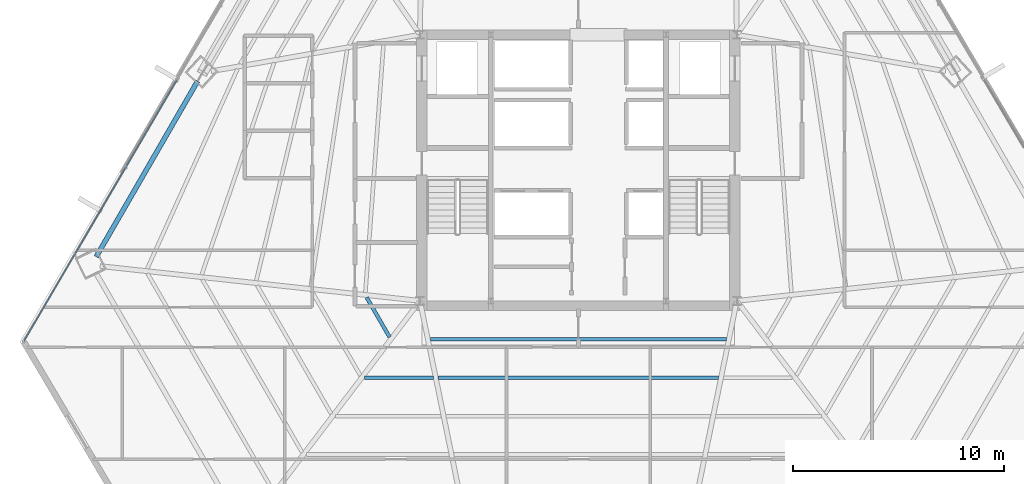
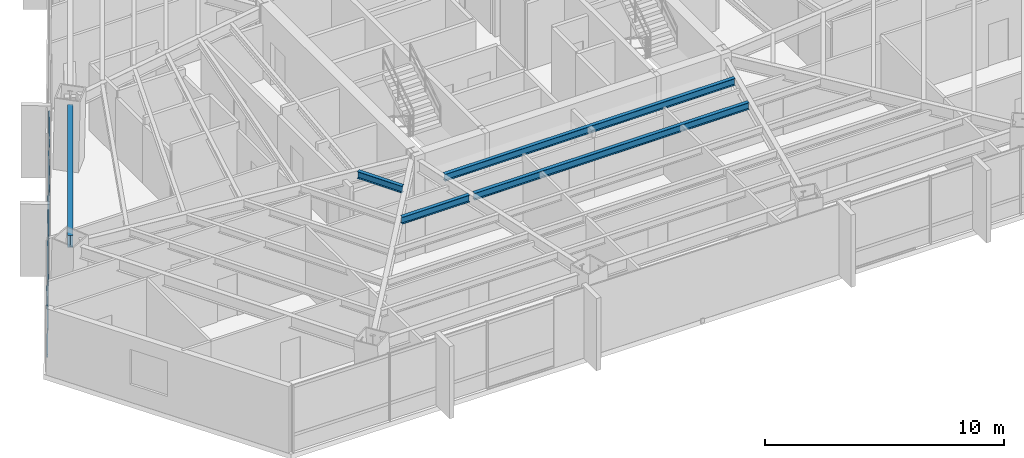
# One storey, part 10 of 35: 5 beams, 2 members, 1 element without a shape of its own.
"""IFC4 building model written with IfcOpenShell, lengths in metres."""

import ifcopenshell
import ifcopenshell.guid

model = None  # the IFC model being written
_history = None  # IfcOwnerHistory: only IFC2X3 demands one
_inside = {}  # id of a spatial element -> (the spatial element, [elements in it])
_under = {}  # id of a project, library or spatial element -> (it, [spatial elements below it])
_declared = {}  # id of a project -> (the project, [libraries it declares])
_typed = {}  # id of a type object -> (the type object, [elements of that type])
_made_of = {}  # id of a material, layer set ... -> (it, [elements and type objects made of it])


def new_model(schema):
    """Start an empty IFC model of exactly this schema.

    Asked for "IFC4X3", IfcOpenShell would pick the latest addendum, in which some entities
    have other attributes; the version numbers below select the first issue.
    IFC2X3 requires an IfcOwnerHistory on every rooted entity: one is made here for all.
    """
    global model, _history
    if schema == "IFC4X3":
        model = ifcopenshell.file(schema_version=(4, 3, 0, 0))
    else:
        model = ifcopenshell.file(schema=schema)
    _inside.clear()
    _under.clear()
    _declared.clear()
    _typed.clear()
    _made_of.clear()
    _history = None
    if model.schema == "IFC2X3":
        org = make("IfcOrganization", Name="unknown")
        user = make(
            "IfcPersonAndOrganization",
            ThePerson=make("IfcPerson", FamilyName="unknown"),
            TheOrganization=org,
        )
        app = make(
            "IfcApplication",
            ApplicationDeveloper=org,
            Version="unknown",
            ApplicationFullName="unknown",
            ApplicationIdentifier="unknown",
        )
        _history = make(
            "IfcOwnerHistory",
            OwningUser=user,
            OwningApplication=app,
            ChangeAction="ADDED",
            CreationDate=0,
        )
    return model


def make(cls, **values):
    """One entity of the class cls with the attributes given. An attribute that is None is left unset."""
    return model.create_entity(
        cls, **{name: value for name, value in values.items() if value is not None}
    )


def rooted(cls, **values):
    """An entity with a GlobalId (a new one), such as an element, a storey or a relation."""
    return make(cls, GlobalId=ifcopenshell.guid.new(), OwnerHistory=_history, **values)


def si_unit(unit_type, name, prefix=None):
    """IfcSIUnit, for example si_unit("LENGTHUNIT", "METRE", prefix="MILLI")."""
    return make("IfcSIUnit", UnitType=unit_type, Prefix=prefix, Name=name)


def assignment(units):
    """IfcUnitAssignment: the units of a project."""
    return None if units is None else make("IfcUnitAssignment", Units=units)


def point(xyz):
    """IfcCartesianPoint."""
    return None if xyz is None else make("IfcCartesianPoint", Coordinates=xyz)


def direction(xyz):
    """IfcDirection."""
    return None if xyz is None else make("IfcDirection", DirectionRatios=xyz)


def frame(location, z_axis=None, x_axis=None):
    """IfcAxis2Placement3D, a coordinate frame: its origin and axes. An axis left out is left unset."""
    return make(
        "IfcAxis2Placement3D",
        Location=point(location),
        Axis=direction(z_axis),
        RefDirection=direction(x_axis),
    )


def frame_2d(location, x_axis=None):
    """IfcAxis2Placement2D, a coordinate frame in the plane: its origin and x axis."""
    return make(
        "IfcAxis2Placement2D", Location=point(location), RefDirection=direction(x_axis)
    )


def origin():
    """The frame at (0, 0, 0) with its axes left unset."""
    return frame((0.0, 0.0, 0.0))


def origin_2d():
    """The frame at (0, 0) in the plane with its x axis left unset."""
    return frame_2d((0.0, 0.0))


def place(relative_to, where):
    """IfcLocalPlacement: puts the frame where relative to a parent placement (None: the world)."""
    return make(
        "IfcLocalPlacement", PlacementRelTo=relative_to, RelativePlacement=where
    )


def context(
    kind, dimensions, precision=None, world=None, true_north=None, identifier=None
):
    """IfcGeometricRepresentationContext, for example the 3D "Model" context."""
    return make(
        "IfcGeometricRepresentationContext",
        ContextIdentifier=identifier,
        ContextType=kind,
        CoordinateSpaceDimension=dimensions,
        Precision=precision,
        WorldCoordinateSystem=world,
        TrueNorth=true_north,
    )


def subcontext(parent, identifier, kind, view, scale=None):
    """IfcGeometricRepresentationSubContext, for example "Body" below "Model"."""
    return make(
        "IfcGeometricRepresentationSubContext",
        ContextIdentifier=identifier,
        ContextType=kind,
        ParentContext=parent,
        TargetScale=scale,
        TargetView=view,
    )


def project(units=None, contexts=None):
    """IfcProject with its units and contexts."""
    return rooted(
        "IfcProject",
        Name="project",
        RepresentationContexts=contexts,
        UnitsInContext=assignment(units),
    )


def spatial(cls, under=None, at=None, **own):
    """A site, building, storey or space (cls), placed at a placement, below another one or the project."""
    s = rooted(cls, ObjectPlacement=at, **own)
    if under is not None:
        _under.setdefault(under.id(), (under, []))[1].append(s)
    return s


def profile(cls, at=None, kind="AREA", **sizes):
    """A parametric profile (cls). Its sizes go by their IFC names, for example OverallWidth=200.0."""
    return make(cls, ProfileType=kind, Position=at, **sizes)


def hollow_rectangle(**sizes):
    """IfcRectangleHollowProfileDef."""
    return profile("IfcRectangleHollowProfileDef", **sizes)


def i_section(**sizes):
    """IfcIShapeProfileDef."""
    return profile("IfcIShapeProfileDef", **sizes)


def extrude(swept, where, along, depth):
    """IfcExtrudedAreaSolid: the profile swept, set in the frame where, extruded along a direction by depth."""
    return make(
        "IfcExtrudedAreaSolid",
        SweptArea=swept,
        Position=where,
        ExtrudedDirection=direction(along),
        Depth=depth,
    )


def shape(context_of_items, identifier, shape_type, items):
    """IfcShapeRepresentation: the items that make up one representation, for example the "Body"."""
    return make(
        "IfcShapeRepresentation",
        ContextOfItems=context_of_items,
        RepresentationIdentifier=identifier,
        RepresentationType=shape_type,
        Items=items,
    )


def source(mapping_origin, context_of_items, identifier, shape_type, items):
    """IfcRepresentationMap: a shape defined once, which mapped items show again and again."""
    return make(
        "IfcRepresentationMap",
        MappingOrigin=mapping_origin,
        MappedRepresentation=shape(context_of_items, identifier, shape_type, items),
    )


def transform(
    local_origin,
    x_axis=None,
    y_axis=None,
    z_axis=None,
    scale=None,
    scale2=None,
    scale3=None,
    uniform=True,
):
    """IfcCartesianTransformationOperator3D, or its non-uniform kind. x_axis, y_axis, z_axis: its Axis1, 2, 3."""
    if uniform:
        return make(
            "IfcCartesianTransformationOperator3D",
            Axis1=direction(x_axis),
            Axis2=direction(y_axis),
            LocalOrigin=point(local_origin),
            Scale=scale,
            Axis3=direction(z_axis),
        )
    return make(
        "IfcCartesianTransformationOperator3DnonUniform",
        Axis1=direction(x_axis),
        Axis2=direction(y_axis),
        LocalOrigin=point(local_origin),
        Scale=scale,
        Axis3=direction(z_axis),
        Scale2=scale2,
        Scale3=scale3,
    )


def mapped(mapping_source, mapping_target):
    """IfcMappedItem: shows the shape of a source again, moved by a transform."""
    return make(
        "IfcMappedItem", MappingSource=mapping_source, MappingTarget=mapping_target
    )


def material(Name=None, Category=None):
    """IfcMaterial."""
    return make("IfcMaterial", Name=Name, Category=Category)


def material_profile(
    of_material, cross_section, Name=None, Category=None, Priority=None
):
    """IfcMaterialProfile: a cross section and its material."""
    return make(
        "IfcMaterialProfile",
        Name=Name,
        Material=of_material,
        Profile=cross_section,
        Priority=Priority,
        Category=Category,
    )


def profile_set(profiles, Name=None, composite=None):
    """IfcMaterialProfileSet."""
    return make(
        "IfcMaterialProfileSet",
        Name=Name,
        MaterialProfiles=profiles,
        CompositeProfile=composite,
    )


def made_of(thing, what):
    """Note that an element or type object is made of a material, layer set ...; save() writes the relation."""
    if what is not None:
        _made_of.setdefault(what.id(), (what, []))[1].append(thing)
    return thing


def type_object(cls, material=None, **own):
    """A type object (cls), such as IfcWallType, which elements share."""
    return made_of(rooted(cls, **own), material)


def type_shapes(of_type, sources):
    """Give a type object the sources (RepresentationMaps) that its elements show as mapped items."""
    of_type.RepresentationMaps = sources


def element(
    cls,
    number,
    at=None,
    inside=None,
    cuts=None,
    type_object=None,
    material=None,
    context=None,
    identifier="Body",
    shape_type=None,
    held_by="IfcProductDefinitionShape",
    body=None,
    shapes=None,
    **own,
):
    """One element of the class cls, such as IfcWall. Its Tag is "e" and its number.

    at: its placement. inside: the storey or other place that contains it. cuts: it is an
    opening in that element (IfcRelVoidsElement). A single representation is given by context,
    identifier, shape_type and body (its items); several are given by shapes. held_by: the class
    of the entity that holds the representations. save() writes the other relations.
    """
    e = rooted(cls, Tag="e%d" % number, ObjectPlacement=at, **own)
    if body is not None:
        shapes = [shape(context, identifier, shape_type, body)]
    if shapes is not None:
        e.Representation = make(held_by, Representations=shapes)
    if inside is not None:
        _inside.setdefault(inside.id(), (inside, []))[1].append(e)
    if cuts is not None:
        rooted(
            "IfcRelVoidsElement", RelatingBuildingElement=cuts, RelatedOpeningElement=e
        )
    if type_object is not None:
        _typed.setdefault(type_object.id(), (type_object, []))[1].append(e)
    return made_of(e, material)


def aggregate(whole, parts):
    """IfcRelAggregates: a whole, such as a stair, and the parts it consists of."""
    return rooted("IfcRelAggregates", RelatingObject=whole, RelatedObjects=parts)


def save(model, path):
    """Write the relations noted so far, then the file.

    IfcRelAggregates (storeys below a building ...), IfcRelContainedInSpatialStructure (elements
    in a storey), IfcRelDefinesByType, IfcRelAssociatesMaterial and IfcRelDeclares: one each for
    every whole, place, type object, material and project.
    """
    for whole, parts in _under.values():
        aggregate(whole, parts)
    for where, things in _inside.values():
        rooted(
            "IfcRelContainedInSpatialStructure",
            RelatedElements=things,
            RelatingStructure=where,
        )
    for kind, things in _typed.values():
        rooted("IfcRelDefinesByType", RelatedObjects=things, RelatingType=kind)
    for what, things in _made_of.values():
        rooted("IfcRelAssociatesMaterial", RelatedObjects=things, RelatingMaterial=what)
    for by, libraries in _declared.values():
        rooted("IfcRelDeclares", RelatingContext=by, RelatedDefinitions=libraries)
    model.write(path)


model = new_model("IFC4")

# Units and contexts
model_context = context("Model", 3, precision=1e-05, world=origin(), true_north=direction((0.0, 1.0)))
body_context = subcontext(model_context, "Body", "Model", "MODEL_VIEW")
ifc_project = project(units=[si_unit("LENGTHUNIT", "METRE"), si_unit("AREAUNIT", "SQUARE_METRE"), si_unit("VOLUMEUNIT", "CUBIC_METRE"), si_unit("PLANEANGLEUNIT", "RADIAN"), si_unit("MASSUNIT", "GRAM", prefix="KILO")], contexts=[model_context])

# Site, building, storey
site_placement = place(None, origin())
site = spatial("IfcSite", under=ifc_project, at=site_placement, CompositionType="ELEMENT")
building_placement = place(site_placement, origin())
building = spatial("IfcBuilding", under=site, at=building_placement, Name="Caelisora Broadcast Tower", CompositionType="ELEMENT")
storey_placement = place(building_placement, frame((0.0, 0.0, 109.050048828125)))
storey = spatial("IfcBuildingStorey", under=building, at=storey_placement, Name="L28", CompositionType="ELEMENT", Elevation=109.050048828125)

# Beams
ifc_material_1 = material(Name="Steel Grade 350 (AS/NZS 3679.1)", Category="steel")
ifc_material_profile_1 = material_profile(ifc_material_1, i_section(OverallWidth=0.22900390625, OverallDepth=0.611572265625, WebThickness=0.011962890625, FlangeThickness=0.01953125, at=origin_2d()), Name="Steel Grade 350 (AS/NZS 3679.1)")
ifc_profile_set_1 = profile_set([ifc_material_profile_1], Name="Steel Grade 350 (AS/NZS 3679.1)")
beam_type_1 = type_object("IfcBeamType", Name="PG03", PredefinedType="BEAM", material=ifc_profile_set_1)
shared_shape_1 = source(origin(), body_context, "Body", "SweptSolid", [
    extrude(i_section(OverallWidth=0.22900390625, OverallDepth=0.611572265625, WebThickness=0.011962890625, FlangeThickness=0.01953125, at=origin_2d()), origin(), (0.0, 0.0, 1.0), 9.59912109375),
])
type_shapes(beam_type_1, [shared_shape_1])
beam_1_placement = place(storey_placement, frame((19.972412109375, 27.803955078125, 3.09423828125), z_axis=(-0.50000426018, -0.866022944154, 0.0), x_axis=(0.866022944154, -0.50000426018, 0.0)))
element("IfcBeam", 1, at=beam_1_placement, inside=storey, type_object=beam_type_1, Name="L28 beam PG03", PredefinedType="BEAM", context=body_context, shape_type="MappedRepresentation", body=[
    mapped(shared_shape_1, transform((0.0, 0.0, 0.0), scale=1.0)),
])
ifc_material_profile_2 = material_profile(ifc_material_1, i_section(OverallWidth=0.172119140625, OverallDepth=0.358642578125, WebThickness=0.008056640625, FlangeThickness=0.012939453125, at=origin_2d()), Name="Steel Grade 350 (AS/NZS 3679.1)")
ifc_profile_set_2 = profile_set([ifc_material_profile_2], Name="Steel Grade 350 (AS/NZS 3679.1)")
beam_type_2 = type_object("IfcBeamType", Name="SB02", PredefinedType="JOIST", material=ifc_profile_set_2)
shared_shape_2 = source(origin(), body_context, "Body", "SweptSolid", [
    extrude(i_section(OverallWidth=0.172119140625, OverallDepth=0.358642578125, WebThickness=0.008056640625, FlangeThickness=0.012939453125, at=origin_2d()), origin(), (0.0, 0.0, 1.0), 2.1669921875),
])
beam_2_placement = place(storey_placement, frame((27.976318359375, 17.562255859375, 3.220703125), z_axis=(0.499992266949, -0.866029868417, 0.0), x_axis=(0.866029868417, 0.499992266949, 0.0)))
element("IfcBeam", 2, at=beam_2_placement, inside=storey, type_object=beam_type_2, Name="L28 beam SB02", PredefinedType="JOIST", context=body_context, shape_type="MappedRepresentation", body=[
    mapped(shared_shape_2, transform((0.0, 0.0, 0.0), scale=1.0)),
])
shared_shape_3 = source(origin(), body_context, "Body", "SweptSolid", [
    extrude(i_section(OverallWidth=0.172119140625, OverallDepth=0.358642578125, WebThickness=0.008056640625, FlangeThickness=0.012939453125, at=origin_2d()), origin(), (0.0, 0.0, 1.0), 3.252685546875),
])
beam_3_placement = place(storey_placement, frame((27.880615234375, 13.761962890625, 3.220703125), z_axis=(1.0, 0.0, 0.0), x_axis=(0.0, 1.0, 0.0)))
element("IfcBeam", 3, at=beam_3_placement, inside=storey, type_object=beam_type_2, Name="L28 beam SB02", PredefinedType="JOIST", context=body_context, shape_type="MappedRepresentation", body=[
    mapped(shared_shape_3, transform((0.0, 0.0, 0.0), scale=1.0)),
])
shared_shape_4 = source(origin(), body_context, "Body", "SweptSolid", [
    extrude(i_section(OverallWidth=0.172119140625, OverallDepth=0.358642578125, WebThickness=0.008056640625, FlangeThickness=0.012939453125, at=origin_2d()), origin(), (0.0, 0.0, 1.0), 14.0263671875),
])
beam_4_placement = place(storey_placement, frame((30.98681640625, 15.580810546875, 3.220703125), z_axis=(1.0, 0.0, 0.0), x_axis=(0.0, 1.0, 0.0)))
element("IfcBeam", 4, at=beam_4_placement, inside=storey, type_object=beam_type_2, Name="L28 beam SB02", PredefinedType="JOIST", context=body_context, shape_type="MappedRepresentation", body=[
    mapped(shared_shape_4, transform((0.0, 0.0, 0.0), scale=1.0)),
])
shared_shape_5 = source(origin(), body_context, "Body", "SweptSolid", [
    extrude(i_section(OverallWidth=0.172119140625, OverallDepth=0.358642578125, WebThickness=0.008056640625, FlangeThickness=0.012939453125, at=origin_2d()), origin(), (0.0, 0.0, 1.0), 13.27978515625),
])
type_shapes(beam_type_2, [shared_shape_2, shared_shape_3, shared_shape_4, shared_shape_5])
beam_5_placement = place(storey_placement, frame((31.360107421875, 13.761962890625, 3.220703125), z_axis=(1.0, 0.0, 0.0), x_axis=(0.0, 1.0, 0.0)))
element("IfcBeam", 5, at=beam_5_placement, inside=storey, type_object=beam_type_2, Name="L28 beam SB02", PredefinedType="JOIST", context=body_context, shape_type="MappedRepresentation", body=[
    mapped(shared_shape_5, transform((0.0, 0.0, 0.0), scale=1.0)),
])

# Curtain wall, members
ifc_material_2 = material(Name="Unitised Aluminium and Low-E Glass Curtain Wall", Category="glass")
curtain_wall_type = type_object("IfcCurtainWallType", Name="CW-Z2", PredefinedType="NOTDEFINED", material=ifc_material_2)
curtain_wall_placement = place(storey_placement, origin())
curtain_wall = element("IfcCurtainWall", 6, at=curtain_wall_placement, inside=storey, type_object=curtain_wall_type, Name="L28 curtain wall CW-Z2", PredefinedType="NOTDEFINED")
ifc_material_3 = material(Name="Aluminium 6063-T6 Anodised Terracotta Bronze", Category="aluminium")
ifc_material_profile_3 = material_profile(ifc_material_3, hollow_rectangle(XDim=0.06005859375, YDim=0.14990234375, WallThickness=0.00341796875, at=origin_2d()), Name="Aluminium 6063-T6 Anodised Terracotta Bronze")
ifc_profile_set_3 = profile_set([ifc_material_profile_3], Name="Aluminium 6063-T6 Anodised Terracotta Bronze")
member_type = type_object("IfcMemberType", Name="CWT-02", PredefinedType="USERDEFINED", material=ifc_profile_set_3)
shared_shape_6 = source(origin(), body_context, "Body", "SweptSolid", [
    extrude(hollow_rectangle(XDim=0.06005859375, YDim=0.14990234375, WallThickness=0.00341796875, at=origin_2d()), origin(), (0.0, 0.0, 1.0), 14.276123046875),
])
type_shapes(member_type, [shared_shape_6])
member_1_placement = place(storey_placement, frame((11.76220703125, 15.51318359375, 0.849853515625), z_axis=(0.505517159685, 0.862816551339, 0.0), x_axis=(-0.862816551339, 0.505517159685, 0.0)))
member_1 = element("IfcMember", 7, at=member_1_placement, type_object=member_type, Name="L28-CW-B09 transom #1", ObjectType="TRANSOM", PredefinedType="USERDEFINED", context=body_context, shape_type="MappedRepresentation", body=[
    mapped(shared_shape_6, transform((0.0, 0.0, 0.0), scale=1.0)),
])
member_2_placement = place(storey_placement, frame((11.76220703125, 15.51318359375, 3.320068359375), z_axis=(0.505517159685, 0.862816551339, 0.0), x_axis=(-0.862816551339, 0.505517159685, 0.0)))
member_2 = element("IfcMember", 8, at=member_2_placement, type_object=member_type, Name="L28-CW-B09 transom #2", ObjectType="TRANSOM", PredefinedType="USERDEFINED", context=body_context, shape_type="MappedRepresentation", body=[
    mapped(shared_shape_6, transform((0.0, 0.0, 0.0), scale=1.0)),
])
aggregate(curtain_wall, [member_1, member_2])

save(model, "model.ifc")
